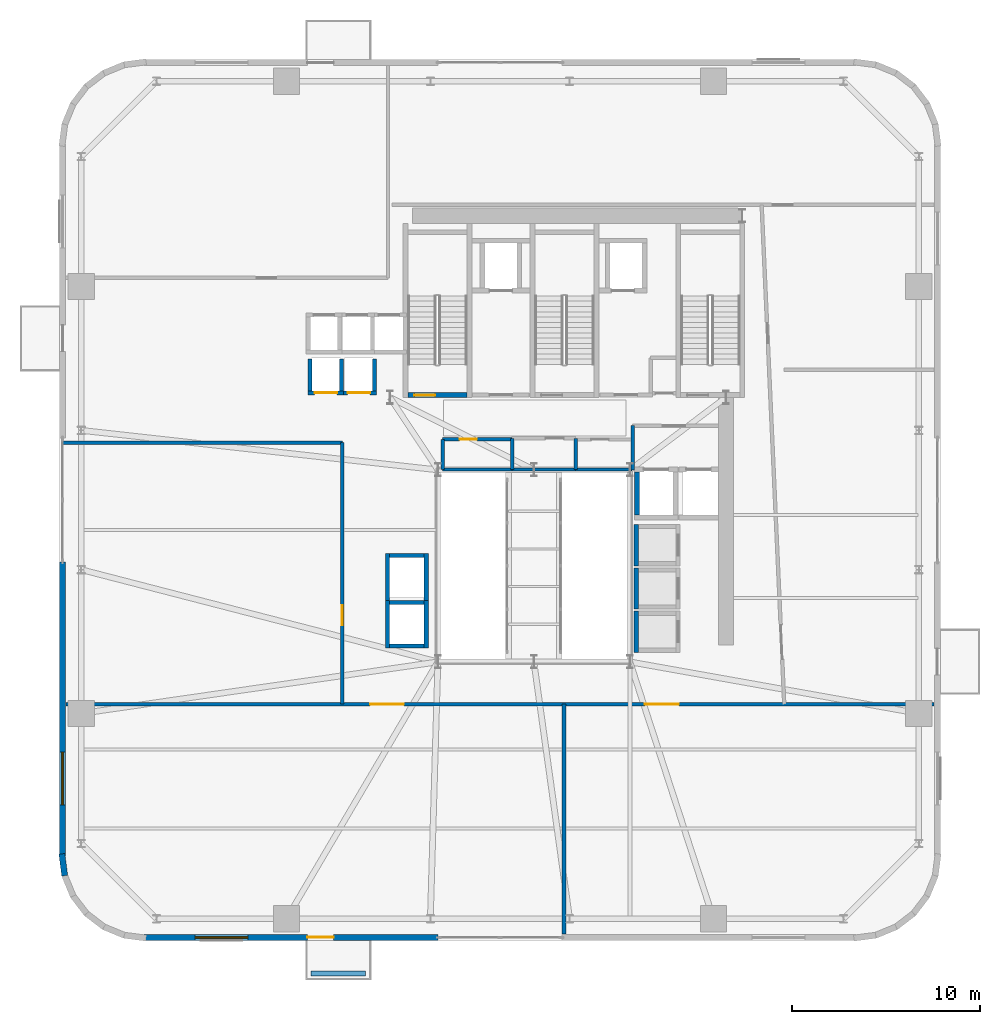
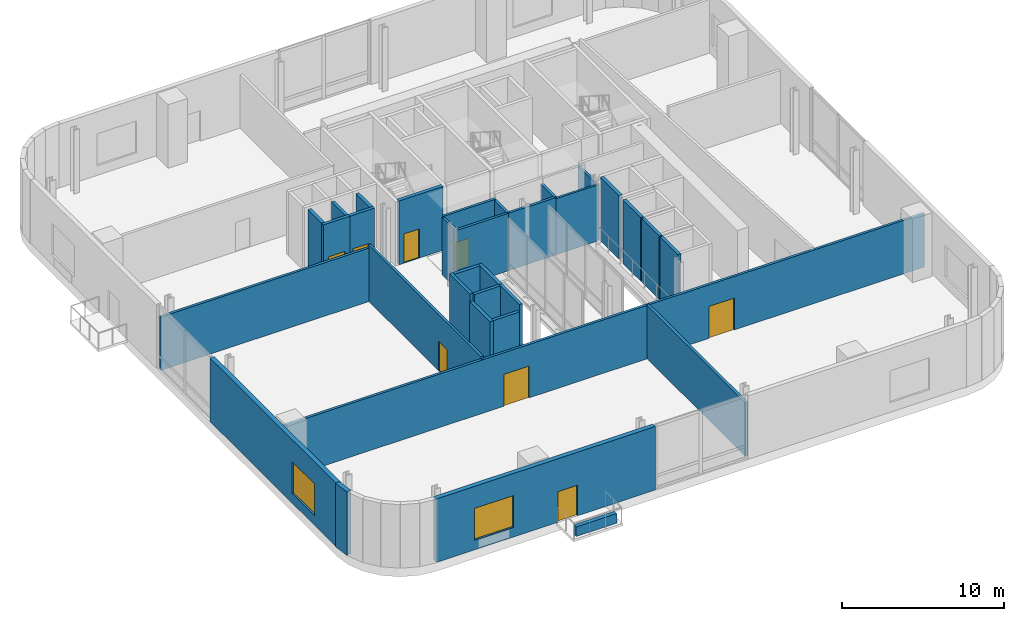
# One storey, part 8 of 14: 33 walls, 8 doors, 2 windows, 10 openings.
"""IFC4 building model written with IfcOpenShell, lengths in metres."""

from ifc_helpers import new_model, si_unit, direction, frame, frame_2d, origin, place, context, subcontext, project, spatial, rectangle, extrude, source, transform, mapped, material, layer, layer_set, type_object, element, fill, save


model = new_model("IFC4")

# Units and contexts
model_context = context("Model", 3, precision=1e-05, world=origin(), true_north=direction((0.0, 1.0)))
body_context = subcontext(model_context, "Body", "Model", "MODEL_VIEW")
ifc_project = project(units=[si_unit("LENGTHUNIT", "METRE"), si_unit("AREAUNIT", "SQUARE_METRE"), si_unit("VOLUMEUNIT", "CUBIC_METRE"), si_unit("PLANEANGLEUNIT", "RADIAN"), si_unit("MASSUNIT", "GRAM", prefix="KILO")], contexts=[model_context])

# Site, building, storey
site_placement = place(None, origin())
site = spatial("IfcSite", under=ifc_project, at=site_placement, CompositionType="ELEMENT")
building_placement = place(site_placement, origin())
building = spatial("IfcBuilding", under=site, at=building_placement, Name="Vardaveli Station Tower", CompositionType="ELEMENT")
storey_placement = place(building_placement, frame((0.0, 0.0, 172.199951171875)))
storey = spatial("IfcBuildingStorey", under=building, at=storey_placement, Name="L44", CompositionType="ELEMENT", Elevation=172.199951171875)

# Wall
ifc_material_1 = material(Name="Precast concrete C45/55", Category="concrete")
ifc_layer_1 = layer(ifc_material_1, 0.280029296875, Name="Precast concrete C45/55")
ifc_layer_set_1 = layer_set([ifc_layer_1], Name="Precast concrete C45/55")
wall_type_1 = type_object("IfcWallType", Name="WAL-PARAPET-280", PredefinedType="SOLIDWALL", material=ifc_layer_set_1)
shared_shape_1 = source(origin(), body_context, "Body", "SweptSolid", [
    extrude(rectangle(XDim=2.89990234375, YDim=0.280029296875, at=frame_2d((1.449951171875, 0.0))), origin(), (0.0, 0.0, 1.0), 0.719970703125),
])
wall_1_placement = place(storey_placement, frame((24.46044921875, 0.050048828125, 0.0), z_axis=(0.0, 0.0, 1.0), x_axis=(1.0, 0.0, 0.0)))
element("IfcWall", 1, at=wall_1_placement, inside=storey, type_object=wall_type_1, Name="Terrace Travertine Planter L44", PredefinedType="SOLIDWALL", context=body_context, shape_type="MappedRepresentation", body=[
    mapped(shared_shape_1, transform((0.0, 0.0, 0.0), scale=1.0)),
])

# Wall, openings, door, window
ifc_layer_2 = layer(ifc_material_1, 0.320068359375, Name="Precast concrete C45/55")
ifc_layer_set_2 = layer_set([ifc_layer_2], Name="Precast concrete C45/55")
wall_type_2 = type_object("IfcWallType", Name="WAL-EXT-STONE-320", PredefinedType="SOLIDWALL", material=ifc_layer_set_2)
shared_shape_2 = source(origin(), body_context, "Body", "SweptSolid", [
    extrude(rectangle(XDim=15.599853515625, YDim=0.320068359375, at=frame_2d((7.7998046875, 0.0))), origin(), (0.0, 0.0, 1.0), 4.780029296875),
])
wall_2_placement = place(storey_placement, frame((15.60009765625, 1.9599609375, 0.0), z_axis=(0.0, 0.0, 1.0), x_axis=(1.0, 0.0, 0.0)))
wall_2 = element("IfcWall", 2, at=wall_2_placement, inside=storey, type_object=wall_type_2, Name="EW-L44-S1", PredefinedType="SOLIDWALL", context=body_context, shape_type="MappedRepresentation", body=[
    mapped(shared_shape_2, transform((0.0, 0.0, 0.0), scale=1.0)),
])
shared_shape_3 = source(origin(), body_context, "Body", "SweptSolid", [
    extrude(rectangle(XDim=1.39990234375, YDim=2.300048828125, at=frame_2d((0.699951171875, 1.14990234375))), frame((0.0, 0.169921875, 0.0), z_axis=(0.0, -1.0, 0.0), x_axis=(1.0, 0.0, 0.0)), (0.0, 0.0, 1.0), 0.340087890625),
])
opening_1_placement = place(wall_2_placement, frame((8.660400390625, 0.0, 0.0)))
opening_1 = element("IfcOpeningElement", 3, at=opening_1_placement, cuts=wall_2, Name="Opening D-09", PredefinedType="OPENING", context=body_context, shape_type="MappedRepresentation", body=[
    mapped(shared_shape_3, transform((0.0, 0.0, 0.0), scale=1.0)),
])
shared_shape_4 = source(origin(), body_context, "Body", "SweptSolid", [
    extrude(rectangle(XDim=2.800048828125, YDim=2.39990234375, at=frame_2d((1.39990234375, 1.199951171875))), frame((0.0, 0.169921875, 0.0), z_axis=(0.0, -1.0, 0.0), x_axis=(1.0, 0.0, 0.0)), (0.0, 0.0, 1.0), 0.340087890625),
])
opening_2_placement = place(wall_2_placement, frame((2.705078125, 0.0, 0.719970703125)))
opening_2 = element("IfcOpeningElement", 4, at=opening_2_placement, cuts=wall_2, Name="Opening W-04", PredefinedType="OPENING", context=body_context, shape_type="MappedRepresentation", body=[
    mapped(shared_shape_4, transform((0.0, 0.0, 0.0), scale=1.0)),
])
ifc_material_2 = material(Name="Thermally broken aluminium glass", Category="aluminium")
door_type_1 = type_object("IfcDoorType", Name="DR-LOG-1400x2300", OperationType="DOUBLE_DOOR_SLIDING", PredefinedType="DOOR", material=ifc_material_2)
shared_shape_5 = source(origin(), body_context, "Body", "SweptSolid", [
    extrude(rectangle(XDim=1.39990234375, YDim=2.300048828125, at=frame_2d((0.699951171875, 1.14990234375))), frame((0.0, 0.02490234375, 0.0), z_axis=(0.0, -1.0, 0.0), x_axis=(1.0, 0.0, 0.0)), (0.0, 0.0, 1.0), 0.050048828125),
])
door_1_placement = place(opening_1_placement, frame((1.39990234375, 0.0, 0.0), z_axis=(0.0, 0.0, 1.0), x_axis=(-1.0, 0.0, 0.0)))
door_1 = element("IfcDoor", 5, at=door_1_placement, inside=storey, type_object=door_type_1, Name="DLG-L44-S", OperationType="DOUBLE_DOOR_SLIDING", OverallHeight=2.300048828125, OverallWidth=1.39990234375, PredefinedType="DOOR", context=body_context, shape_type="MappedRepresentation", body=[
    mapped(shared_shape_5, transform((0.0, 0.0, 0.0), scale=1.0)),
])
fill(opening_1, door_1)
ifc_material_3 = material(Name="Low-E solar-control glass", Category="glass")
window_type = type_object("IfcWindowType", Name="WIN-SUITE-2800x2400", PartitioningType="SINGLE_PANEL", PredefinedType="WINDOW", material=ifc_material_3)
shared_shape_6 = source(origin(), body_context, "Body", "SweptSolid", [
    extrude(rectangle(XDim=2.800048828125, YDim=2.39990234375, at=frame_2d((1.39990234375, 1.199951171875))), frame((0.0, 0.030029296875, 0.0), z_axis=(0.0, -1.0, 0.0), x_axis=(1.0, 0.0, 0.0)), (0.0, 0.0, 1.0), 0.06005859375),
])
window_1_placement = place(opening_2_placement, origin())
window_1 = element("IfcWindow", 6, at=window_1_placement, inside=storey, type_object=window_type, Name="WN-L44-S1", OverallHeight=2.39990234375, OverallWidth=2.800048828125, PartitioningType="SINGLE_PANEL", PredefinedType="WINDOW", context=body_context, shape_type="MappedRepresentation", body=[
    mapped(shared_shape_6, transform((0.0, 0.0, 0.0), scale=1.0)),
])
fill(opening_2, window_1)

# Wall, opening, window
wall_3_placement = place(storey_placement, frame((11.260009765625, 21.89990234375, 0.0), z_axis=(0.0, 0.0, 1.0), x_axis=(0.0, -1.0, 0.0)))
wall_3 = element("IfcWall", 7, at=wall_3_placement, inside=storey, type_object=wall_type_2, Name="EW-L44-W2", PredefinedType="SOLIDWALL", context=body_context, shape_type="MappedRepresentation", body=[
    mapped(shared_shape_2, transform((0.0, 0.0, 0.0), scale=1.0)),
])
opening_3_placement = place(wall_3_placement, frame((10.094970703125, 0.0, 0.719970703125)))
opening_3 = element("IfcOpeningElement", 8, at=opening_3_placement, cuts=wall_3, Name="Opening W-04", PredefinedType="OPENING", context=body_context, shape_type="MappedRepresentation", body=[
    mapped(shared_shape_4, transform((0.0, 0.0, 0.0), scale=1.0)),
])
window_2_placement = place(opening_3_placement, origin())
window_2 = element("IfcWindow", 9, at=window_2_placement, inside=storey, type_object=window_type, Name="WN-L44-W2", OverallHeight=2.39990234375, OverallWidth=2.800048828125, PartitioningType="SINGLE_PANEL", PredefinedType="WINDOW", context=body_context, shape_type="MappedRepresentation", body=[
    mapped(shared_shape_6, transform((0.0, 0.0, 0.0), scale=1.0)),
])
fill(opening_3, window_2)

# Wall
shared_shape_7 = source(origin(), body_context, "Body", "SweptSolid", [
    extrude(rectangle(XDim=1.170654296875, YDim=0.320068359375, at=frame_2d((0.58544921875, 0.0))), origin(), (0.0, 0.0, 1.0), 4.780029296875),
])
wall_4_placement = place(storey_placement, frame((11.224365234375, 6.400634765625, 0.0), z_axis=(0.0, 0.0, 1.0), x_axis=(0.128269133229, -0.991739395941, 0.0)))
element("IfcWall", 10, at=wall_4_placement, inside=storey, type_object=wall_type_2, Name="EW-L44-CR1-1", PredefinedType="SOLIDWALL", context=body_context, shape_type="MappedRepresentation", body=[
    mapped(shared_shape_7, transform((0.0, 0.0, 0.0), scale=1.0)),
])

# Wall, opening, door
ifc_material_4 = material(Name="Concrete C40/50", Category="concrete")
ifc_layer_3 = layer(ifc_material_4, 0.25, Name="Concrete C40/50")
ifc_layer_set_3 = layer_set([ifc_layer_3], Name="Concrete C40/50")
wall_type_3 = type_object("IfcWallType", Name="WAL-SHAFT-250", PredefinedType="SOLIDWALL", material=ifc_layer_set_3)
shared_shape_8 = source(origin(), body_context, "Body", "SweptSolid", [
    extrude(rectangle(XDim=3.14990234375, YDim=0.25, at=frame_2d((1.574951171875, 0.0))), origin(), (0.0, 0.0, 1.0), 4.800048828125),
])
wall_5_placement = place(storey_placement, frame((29.60009765625, 30.77490234375, 0.0), z_axis=(0.0, 0.0, 1.0), x_axis=(1.0, 0.0, 0.0)))
wall_5 = element("IfcWall", 11, at=wall_5_placement, inside=storey, type_object=wall_type_3, Name="W-L44-ST-1S", PredefinedType="SOLIDWALL", context=body_context, shape_type="MappedRepresentation", body=[
    mapped(shared_shape_8, transform((0.0, 0.0, 0.0), scale=1.0)),
])
shared_shape_9 = source(origin(), body_context, "Body", "SweptSolid", [
    extrude(rectangle(XDim=1.10009765625, YDim=2.199951171875, at=frame_2d((0.550048828125, 1.10009765625))), frame((0.0, 0.135009765625, 0.0), z_axis=(0.0, -1.0, 0.0), x_axis=(1.0, 0.0, 0.0)), (0.0, 0.0, 1.0), 0.27001953125),
])
opening_4_placement = place(wall_5_placement, frame((0.35009765625, 0.0, 0.0)))
opening_4 = element("IfcOpeningElement", 12, at=opening_4_placement, cuts=wall_5, Name="Opening D-04", PredefinedType="OPENING", context=body_context, shape_type="MappedRepresentation", body=[
    mapped(shared_shape_9, transform((0.0, 0.0, 0.0), scale=1.0)),
])
ifc_material_5 = material(Name="Steel smokeproof fire doorset", Category="steel")
door_type_2 = type_object("IfcDoorType", Name="DR-ST-1100x2200", OperationType="NOTDEFINED", PredefinedType="DOOR", material=ifc_material_5)
shared_shape_10 = source(origin(), body_context, "Body", "SweptSolid", [
    extrude(rectangle(XDim=1.10009765625, YDim=2.199951171875, at=frame_2d((0.550048828125, 1.10009765625))), frame((0.0, 0.02490234375, 0.0), z_axis=(0.0, -1.0, 0.0), x_axis=(1.0, 0.0, 0.0)), (0.0, 0.0, 1.0), 0.050048828125),
])
door_2_placement = place(opening_4_placement, origin())
door_2 = element("IfcDoor", 13, at=door_2_placement, inside=storey, type_object=door_type_2, Name="DST-1-L44", OperationType="SINGLE_SWING_LEFT", OverallHeight=2.199951171875, OverallWidth=1.10009765625, PredefinedType="DOOR", context=body_context, shape_type="MappedRepresentation", body=[
    mapped(shared_shape_10, transform((0.0, 0.0, 0.0), scale=1.0)),
])
fill(opening_4, door_2)

ifc_layer_4 = layer(ifc_material_4, 0.219970703125, Name="Concrete C40/50")
ifc_layer_set_4 = layer_set([ifc_layer_4], Name="Concrete C40/50")
wall_type_4 = type_object("IfcWallType", Name="WAL-FFLOBBY-220", PredefinedType="SOLIDWALL", material=ifc_layer_set_4)
shared_shape_11 = source(origin(), body_context, "Body", "SweptSolid", [
    extrude(rectangle(XDim=1.89013671875, YDim=0.219970703125, at=frame_2d((0.945068359375, 0.0))), origin(), (0.0, 0.0, 1.0), 4.780029296875),
])
wall_6_placement = place(storey_placement, frame((24.304931640625, 30.889892578125, 0.0), z_axis=(0.0, 0.0, 1.0), x_axis=(1.0, 0.0, 0.0)))
wall_6 = element("IfcWall", 14, at=wall_6_placement, inside=storey, type_object=wall_type_4, Name="SHW-SHU-01-L44-S", PredefinedType="SOLIDWALL", context=body_context, shape_type="MappedRepresentation", body=[
    mapped(shared_shape_11, transform((0.0, 0.0, 0.0), scale=1.0)),
])
shared_shape_12 = source(origin(), body_context, "Body", "SweptSolid", [
    extrude(rectangle(XDim=1.199951171875, YDim=2.25, at=frame_2d((0.60009765625, 1.125))), frame((0.0, 0.1201171875, 0.0), z_axis=(0.0, -1.0, 0.0), x_axis=(1.0, 0.0, 0.0)), (0.0, 0.0, 1.0), 0.239990234375),
])
opening_5_placement = place(wall_6_placement, frame((0.344970703125, 0.0, 0.0)))
opening_5 = element("IfcOpeningElement", 15, at=opening_5_placement, cuts=wall_6, Name="Opening LD-02", PredefinedType="OPENING", context=body_context, shape_type="MappedRepresentation", body=[
    mapped(shared_shape_12, transform((0.0, 0.0, 0.0), scale=1.0)),
])
ifc_material_6 = material(Name="Brushed stainless steel", Category="steel")
door_type_3 = type_object("IfcDoorType", Name="DR-LD-1200x2250", OperationType="DOUBLE_DOOR_SLIDING", PredefinedType="DOOR", material=ifc_material_6)
shared_shape_13 = source(origin(), body_context, "Body", "SweptSolid", [
    extrude(rectangle(XDim=1.199951171875, YDim=2.25, at=frame_2d((0.60009765625, 1.125))), frame((0.0, 0.02490234375, 0.0), z_axis=(0.0, -1.0, 0.0), x_axis=(1.0, 0.0, 0.0)), (0.0, 0.0, 1.0), 0.050048828125),
])
door_3_placement = place(opening_5_placement, origin())
door_3 = element("IfcDoor", 16, at=door_3_placement, inside=storey, type_object=door_type_3, Name="LD-SHU-01-L44", OperationType="DOUBLE_DOOR_SLIDING", OverallHeight=2.25, OverallWidth=1.199951171875, PredefinedType="DOOR", context=body_context, shape_type="MappedRepresentation", body=[
    mapped(shared_shape_13, transform((0.0, 0.0, 0.0), scale=1.0)),
])
fill(opening_5, door_3)

wall_7_placement = place(storey_placement, frame((26.054931640625, 30.889892578125, 0.0), z_axis=(0.0, 0.0, 1.0), x_axis=(1.0, 0.0, 0.0)))
wall_7 = element("IfcWall", 17, at=wall_7_placement, inside=storey, type_object=wall_type_4, Name="SHW-SHU-02-L44-S", PredefinedType="SOLIDWALL", context=body_context, shape_type="MappedRepresentation", body=[
    mapped(shared_shape_11, transform((0.0, 0.0, 0.0), scale=1.0)),
])
opening_6_placement = place(wall_7_placement, frame((0.344970703125, 0.0, 0.0)))
opening_6 = element("IfcOpeningElement", 18, at=opening_6_placement, cuts=wall_7, Name="Opening LD-02", PredefinedType="OPENING", context=body_context, shape_type="MappedRepresentation", body=[
    mapped(shared_shape_12, transform((0.0, 0.0, 0.0), scale=1.0)),
])
door_4_placement = place(opening_6_placement, origin())
door_4 = element("IfcDoor", 19, at=door_4_placement, inside=storey, type_object=door_type_3, Name="LD-SHU-02-L44", OperationType="DOUBLE_DOOR_SLIDING", OverallHeight=2.25, OverallWidth=1.199951171875, PredefinedType="DOOR", context=body_context, shape_type="MappedRepresentation", body=[
    mapped(shared_shape_13, transform((0.0, 0.0, 0.0), scale=1.0)),
])
fill(opening_6, door_4)

# Walls
shared_shape_14 = source(origin(), body_context, "Body", "SweptSolid", [
    extrude(rectangle(XDim=1.699951171875, YDim=0.219970703125, at=frame_2d((0.85009765625, 0.0))), origin(), (0.0, 0.0, 1.0), 4.780029296875),
])
for number, where, z_axis, x_axis, name in (
    (20, (24.4150390625, 31.0, 0.0), (0.0, 0.0, 1.0), (0.0, 1.0, 0.0), "SHW-SHU-01-L44-W"),
    (21, (26.0849609375, 31.0, 0.0), (0.0, 0.0, 1.0), (0.0, 1.0, 0.0), "SHW-SHU-01-L44-E"),
    (22, (27.8349609375, 31.0, 0.0), (0.0, 0.0, 1.0), (0.0, 1.0, 0.0), "SHW-SHU-02-L44-E"),
):
    element("IfcWall", number, at=place(storey_placement, frame(where, z_axis=z_axis, x_axis=x_axis)), inside=storey, type_object=wall_type_4, Name=name, PredefinedType="SOLIDWALL", context=body_context, shape_type="MappedRepresentation", body=[
        mapped(shared_shape_14, transform((0.0, 0.0, 0.0), scale=1.0)),
    ])
shared_shape_15 = source(origin(), body_context, "Body", "SweptSolid", [
    extrude(rectangle(XDim=2.18994140625, YDim=0.219970703125, at=frame_2d((1.094970703125, 0.0))), origin(), (0.0, 0.0, 1.0), 4.780029296875),
])
for number, where, z_axis, x_axis, name in (
    (23, (41.739990234375, 21.705078125, 0.0), (0.0, 0.0, 1.0), (0.0, 1.0, 0.0), "SHW-HL3-01-L44-W"),
    (24, (41.739990234375, 19.405029296875, 0.0), (0.0, 0.0, 1.0), (0.0, 1.0, 0.0), "SHW-HL3-02-L44-W"),
    (25, (41.739990234375, 17.10498046875, 0.0), (0.0, 0.0, 1.0), (0.0, 1.0, 0.0), "SHW-HL3-03-L44-W"),
):
    element("IfcWall", number, at=place(storey_placement, frame(where, z_axis=z_axis, x_axis=x_axis)), inside=storey, type_object=wall_type_4, Name=name, PredefinedType="SOLIDWALL", context=body_context, shape_type="MappedRepresentation", body=[
        mapped(shared_shape_15, transform((0.0, 0.0, 0.0), scale=1.0)),
    ])
shared_shape_16 = source(origin(), body_context, "Body", "SweptSolid", [
    extrude(rectangle(XDim=1.85009765625, YDim=0.219970703125, at=frame_2d((0.925048828125, 0.0))), origin(), (0.0, 0.0, 1.0), 4.22216796875),
])
wall_8_placement = place(storey_placement, frame((28.625, 17.43994140625, 0.0), z_axis=(0.0, 0.0, 1.0), x_axis=(1.0, 0.0, 0.0)))
element("IfcWall", 26, at=wall_8_placement, inside=storey, type_object=wall_type_4, Name="SHW-OBS-01-L44-S", PredefinedType="SOLIDWALL", context=body_context, shape_type="MappedRepresentation", body=[
    mapped(shared_shape_16, transform((0.0, 0.0, 0.0), scale=1.0)),
])
shared_shape_17 = source(origin(), body_context, "Body", "SweptSolid", [
    extrude(rectangle(XDim=1.85009765625, YDim=0.219970703125, at=frame_2d((0.925048828125, 0.0))), origin(), (0.0, 0.0, 1.0), 4.780029296875),
])
for number, where, z_axis, x_axis, name in (
    (27, (28.625, 19.760009765625, 0.0), (0.0, 0.0, 1.0), (1.0, 0.0, 0.0), "SHW-OBS-01-L44-N"),
    (28, (28.625, 22.260009765625, 0.0), (0.0, 0.0, 1.0), (1.0, 0.0, 0.0), "SHW-OBS-02-L44-N"),
):
    element("IfcWall", number, at=place(storey_placement, frame(where, z_axis=z_axis, x_axis=x_axis)), inside=storey, type_object=wall_type_4, Name=name, PredefinedType="SOLIDWALL", context=body_context, shape_type="MappedRepresentation", body=[
        mapped(shared_shape_17, transform((0.0, 0.0, 0.0), scale=1.0)),
    ])
shared_shape_18 = source(origin(), body_context, "Body", "SweptSolid", [
    extrude(rectangle(XDim=2.5400390625, YDim=0.219970703125, at=frame_2d((1.27001953125, 0.0))), origin(), (0.0, 0.0, 1.0), 4.22216796875),
])
wall_9_placement = place(storey_placement, frame((28.514892578125, 17.330078125, 0.0), z_axis=(0.0, 0.0, 1.0), x_axis=(0.0, 1.0, 0.0)))
element("IfcWall", 29, at=wall_9_placement, inside=storey, type_object=wall_type_4, Name="SHW-OBS-01-L44-W", PredefinedType="SOLIDWALL", context=body_context, shape_type="MappedRepresentation", body=[
    mapped(shared_shape_18, transform((0.0, 0.0, 0.0), scale=1.0)),
])
shared_shape_19 = source(origin(), body_context, "Body", "SweptSolid", [
    extrude(rectangle(XDim=2.5400390625, YDim=0.219970703125, at=frame_2d((1.27001953125, 0.0))), origin(), (0.0, 0.0, 1.0), 4.780029296875),
])
for number, where, z_axis, x_axis, name in (
    (30, (30.5849609375, 17.330078125, 0.0), (0.0, 0.0, 1.0), (0.0, 1.0, 0.0), "SHW-OBS-01-L44-E"),
    (31, (28.514892578125, 19.830078125, 0.0), (0.0, 0.0, 1.0), (0.0, 1.0, 0.0), "SHW-OBS-02-L44-W"),
    (32, (30.5849609375, 19.830078125, 0.0), (0.0, 0.0, 1.0), (0.0, 1.0, 0.0), "SHW-OBS-02-L44-E"),
):
    element("IfcWall", number, at=place(storey_placement, frame(where, z_axis=z_axis, x_axis=x_axis)), inside=storey, type_object=wall_type_4, Name=name, PredefinedType="SOLIDWALL", context=body_context, shape_type="MappedRepresentation", body=[
        mapped(shared_shape_19, transform((0.0, 0.0, 0.0), scale=1.0)),
    ])
shared_shape_20 = source(origin(), body_context, "Body", "SweptSolid", [
    extrude(rectangle(XDim=2.300048828125, YDim=0.25, at=frame_2d((1.14990234375, 0.0))), origin(), (0.0, 0.0, 1.0), 4.780029296875),
])
wall_10_placement = place(storey_placement, frame((41.77490234375, 24.39990234375, 0.0), z_axis=(0.0, 0.0, 1.0), x_axis=(0.0, 1.0, 0.0)))
element("IfcWall", 33, at=wall_10_placement, inside=storey, type_object=wall_type_3, Name="SHW-SRV-01-L44-W", PredefinedType="SOLIDWALL", context=body_context, shape_type="MappedRepresentation", body=[
    mapped(shared_shape_20, transform((0.0, 0.0, 0.0), scale=1.0)),
])

# Wall, openings, doors
ifc_material_7 = material(Name="Fire-rated gypsum stud partition")
ifc_layer_5 = layer(ifc_material_7, 0.179931640625, Name="Fire-rated gypsum stud partition")
ifc_layer_set_5 = layer_set([ifc_layer_5], Name="Fire-rated gypsum stud partition")
wall_type_5 = type_object("IfcWallType", Name="WAL-CORR-180", PredefinedType="PARTITIONING", material=ifc_layer_set_5)
shared_shape_21 = source(origin(), body_context, "Body", "SweptSolid", [
    extrude(rectangle(XDim=46.10009765625, YDim=0.179931640625, at=frame_2d((23.050048828125, 0.0))), origin(), (0.0, 0.0, 1.0), 4.02197265625),
])
wall_11_placement = place(storey_placement, frame((11.449951171875, 14.35009765625, 0.0), z_axis=(0.0, 0.0, 1.0), x_axis=(1.0, 0.0, 0.0)))
wall_11 = element("IfcWall", 34, at=wall_11_placement, inside=storey, type_object=wall_type_5, Name="W-L44-CS", PredefinedType="PARTITIONING", context=body_context, shape_type="MappedRepresentation", body=[
    mapped(shared_shape_21, transform((0.0, 0.0, 0.0), scale=1.0)),
])
shared_shape_22 = source(origin(), body_context, "Body", "SweptSolid", [
    extrude(rectangle(XDim=1.800048828125, YDim=2.39990234375, at=frame_2d((0.89990234375, 1.199951171875))), frame((0.0, 0.10009765625, 0.0), z_axis=(0.0, -1.0, 0.0), x_axis=(1.0, 0.0, 0.0)), (0.0, 0.0, 1.0), 0.199951171875),
])
opening_7_placement = place(wall_11_placement, frame((16.14990234375, 0.0, 0.0)))
opening_7 = element("IfcOpeningElement", 35, at=opening_7_placement, cuts=wall_11, Name="Opening D-01", PredefinedType="OPENING", context=body_context, shape_type="MappedRepresentation", body=[
    mapped(shared_shape_22, transform((0.0, 0.0, 0.0), scale=1.0)),
])
opening_8_placement = place(wall_11_placement, frame((30.75, 0.0, 0.0)))
opening_8 = element("IfcOpeningElement", 36, at=opening_8_placement, cuts=wall_11, Name="Opening D-01", PredefinedType="OPENING", context=body_context, shape_type="MappedRepresentation", body=[
    mapped(shared_shape_22, transform((0.0, 0.0, 0.0), scale=1.0)),
])
ifc_material_8 = material(Name="Acoustic hardwood fire doorset", Category="wood")
door_type_4 = type_object("IfcDoorType", Name="DR-BALL-1800x2400", OperationType="DOUBLE_DOOR_SINGLE_SWING", PredefinedType="DOOR", material=ifc_material_8)
shared_shape_23 = source(origin(), body_context, "Body", "SweptSolid", [
    extrude(rectangle(XDim=1.800048828125, YDim=2.39990234375, at=frame_2d((0.89990234375, 1.199951171875))), frame((0.0, 0.02490234375, 0.0), z_axis=(0.0, -1.0, 0.0), x_axis=(1.0, 0.0, 0.0)), (0.0, 0.0, 1.0), 0.050048828125),
])
door_5_placement = place(opening_7_placement, origin())
door_5 = element("IfcDoor", 37, at=door_5_placement, inside=storey, type_object=door_type_4, Name="D-L44-SKG", OperationType="DOUBLE_DOOR_SINGLE_SWING", OverallHeight=2.39990234375, OverallWidth=1.800048828125, PredefinedType="DOOR", context=body_context, shape_type="MappedRepresentation", body=[
    mapped(shared_shape_23, transform((0.0, 0.0, 0.0), scale=1.0)),
])
fill(opening_7, door_5)
door_6_placement = place(opening_8_placement, origin())
door_6 = element("IfcDoor", 38, at=door_6_placement, inside=storey, type_object=door_type_4, Name="D-L44-BAR", OperationType="DOUBLE_DOOR_SINGLE_SWING", OverallHeight=2.39990234375, OverallWidth=1.800048828125, PredefinedType="DOOR", context=body_context, shape_type="MappedRepresentation", body=[
    mapped(shared_shape_23, transform((0.0, 0.0, 0.0), scale=1.0)),
])
fill(opening_8, door_6)

# Wall, opening, door
shared_shape_24 = source(origin(), body_context, "Body", "SweptSolid", [
    extrude(rectangle(XDim=13.89990234375, YDim=0.179931640625, at=frame_2d((6.949951171875, 0.0))), origin(), (0.0, 0.0, 1.0), 4.22216796875),
])
wall_12_placement = place(storey_placement, frame((26.1201171875, 14.35009765625, 0.0), z_axis=(0.0, 0.0, 1.0), x_axis=(0.0, 1.0, 0.0)))
wall_12 = element("IfcWall", 39, at=wall_12_placement, inside=storey, type_object=wall_type_5, Name="W-L44-MTGW", PredefinedType="PARTITIONING", context=body_context, shape_type="MappedRepresentation", body=[
    mapped(shared_shape_24, transform((0.0, 0.0, 0.0), scale=1.0)),
])
shared_shape_25 = source(origin(), body_context, "Body", "SweptSolid", [
    extrude(rectangle(XDim=1.050048828125, YDim=2.199951171875, at=frame_2d((0.52490234375, 1.10009765625))), frame((0.0, 0.10009765625, 0.0), z_axis=(0.0, -1.0, 0.0), x_axis=(1.0, 0.0, 0.0)), (0.0, 0.0, 1.0), 0.199951171875),
])
opening_9_placement = place(wall_12_placement, frame((4.199951171875, 0.0, 0.0)))
opening_9 = element("IfcOpeningElement", 40, at=opening_9_placement, cuts=wall_12, Name="Opening D-05", PredefinedType="OPENING", context=body_context, shape_type="MappedRepresentation", body=[
    mapped(shared_shape_25, transform((0.0, 0.0, 0.0), scale=1.0)),
])
ifc_material_9 = material(Name="Walnut veneer acoustic fire door")
door_type_5 = type_object("IfcDoorType", Name="DR-SUITE-1050x2200", OperationType="NOTDEFINED", PredefinedType="DOOR", material=ifc_material_9)
shared_shape_26 = source(origin(), body_context, "Body", "SweptSolid", [
    extrude(rectangle(XDim=1.050048828125, YDim=2.199951171875, at=frame_2d((0.52490234375, 1.10009765625))), frame((0.0, 0.02490234375, 0.0), z_axis=(0.0, -1.0, 0.0), x_axis=(1.0, 0.0, 0.0)), (0.0, 0.0, 1.0), 0.050048828125),
])
door_7_placement = place(opening_9_placement, origin())
door_7 = element("IfcDoor", 41, at=door_7_placement, inside=storey, type_object=door_type_5, Name="D-L44-MTG", OperationType="SINGLE_SWING_LEFT", OverallHeight=2.199951171875, OverallWidth=1.050048828125, PredefinedType="DOOR", context=body_context, shape_type="MappedRepresentation", body=[
    mapped(shared_shape_26, transform((0.0, 0.0, 0.0), scale=1.0)),
])
fill(opening_9, door_7)

shared_shape_27 = source(origin(), body_context, "Body", "SweptSolid", [
    extrude(rectangle(XDim=3.699951171875, YDim=0.179931640625, at=frame_2d((1.85009765625, 0.0))), origin(), (0.0, 0.0, 1.0), 4.412109375),
])
wall_13_placement = place(storey_placement, frame((31.449951171875, 28.419921875, 0.0), z_axis=(0.0, 0.0, 1.0), x_axis=(1.0, 0.0, 0.0)))
wall_13 = element("IfcWall", 42, at=wall_13_placement, inside=storey, type_object=wall_type_5, Name="W-L44-CS2A-N", PredefinedType="PARTITIONING", context=body_context, shape_type="MappedRepresentation", body=[
    mapped(shared_shape_27, transform((0.0, 0.0, 0.0), scale=1.0)),
])
shared_shape_28 = source(origin(), body_context, "Body", "SweptSolid", [
    extrude(rectangle(XDim=0.919921875, YDim=2.10009765625, at=frame_2d((0.4599609375, 1.050048828125))), frame((0.0, 0.10009765625, 0.0), z_axis=(0.0, -1.0, 0.0), x_axis=(1.0, 0.0, 0.0)), (0.0, 0.0, 1.0), 0.199951171875),
])
opening_10_placement = place(wall_13_placement, frame((0.89990234375, 0.0, 0.0)))
opening_10 = element("IfcOpeningElement", 43, at=opening_10_placement, cuts=wall_13, Name="Opening D-07", PredefinedType="OPENING", context=body_context, shape_type="MappedRepresentation", body=[
    mapped(shared_shape_28, transform((0.0, 0.0, 0.0), scale=1.0)),
])
ifc_material_10 = material(Name="Moisture-resistant hardwood door", Category="wood")
door_type_6 = type_object("IfcDoorType", Name="DR-WC-920x2100", OperationType="NOTDEFINED", PredefinedType="DOOR", material=ifc_material_10)
shared_shape_29 = source(origin(), body_context, "Body", "SweptSolid", [
    extrude(rectangle(XDim=0.919921875, YDim=2.10009765625, at=frame_2d((0.4599609375, 1.050048828125))), frame((0.0, 0.02490234375, 0.0), z_axis=(0.0, -1.0, 0.0), x_axis=(1.0, 0.0, 0.0)), (0.0, 0.0, 1.0), 0.050048828125),
])
door_8_placement = place(opening_10_placement, origin())
door_8 = element("IfcDoor", 44, at=door_8_placement, inside=storey, type_object=door_type_6, Name="D-L44-CS2A", OperationType="SINGLE_SWING_LEFT", OverallHeight=2.10009765625, OverallWidth=0.919921875, PredefinedType="DOOR", context=body_context, shape_type="MappedRepresentation", body=[
    mapped(shared_shape_29, transform((0.0, 0.0, 0.0), scale=1.0)),
])
fill(opening_10, door_8)

# Walls
shared_shape_30 = source(origin(), body_context, "Body", "SweptSolid", [
    extrude(rectangle(XDim=14.900146484375, YDim=0.179931640625, at=frame_2d((7.4501953125, 0.0))), origin(), (0.0, 0.0, 1.0), 4.02197265625),
])
wall_14_placement = place(storey_placement, frame((11.219970703125, 28.25, 0.0), z_axis=(0.0, 0.0, 1.0), x_axis=(1.0, 0.0, 0.0)))
element("IfcWall", 45, at=wall_14_placement, inside=storey, type_object=wall_type_5, Name="W-L44-MTGN", PredefinedType="PARTITIONING", context=body_context, shape_type="MappedRepresentation", body=[
    mapped(shared_shape_30, transform((0.0, 0.0, 0.0), scale=1.0)),
])
ifc_material_11 = material(Name="Acoustic twin-stud gypsum partition")
ifc_layer_6 = layer(ifc_material_11, 0.199951171875, Name="Acoustic twin-stud gypsum partition")
ifc_layer_set_6 = layer_set([ifc_layer_6], Name="Acoustic twin-stud gypsum partition")
wall_type_6 = type_object("IfcWallType", Name="WAL-PARTY-200", PredefinedType="PARTITIONING", material=ifc_layer_set_6)
shared_shape_31 = source(origin(), body_context, "Body", "SweptSolid", [
    extrude(rectangle(XDim=12.2001953125, YDim=0.199951171875, at=frame_2d((6.10009765625, 0.0))), origin(), (0.0, 0.0, 1.0), 4.02197265625),
])
wall_15_placement = place(storey_placement, frame((37.89990234375, 2.14990234375, 0.0), z_axis=(0.0, 0.0, 1.0), x_axis=(0.0, 1.0, 0.0)))
element("IfcWall", 46, at=wall_15_placement, inside=storey, type_object=wall_type_6, Name="W-L44-SB", PredefinedType="PARTITIONING", context=body_context, shape_type="MappedRepresentation", body=[
    mapped(shared_shape_31, transform((0.0, 0.0, 0.0), scale=1.0)),
])
shared_shape_32 = source(origin(), body_context, "Body", "SweptSolid", [
    extrude(rectangle(XDim=3.699951171875, YDim=0.179931640625, at=frame_2d((1.85009765625, 0.0))), origin(), (0.0, 0.0, 1.0), 4.322021484375),
])
wall_16_placement = place(storey_placement, frame((31.449951171875, 26.820068359375, 0.0), z_axis=(0.0, 0.0, 1.0), x_axis=(1.0, 0.0, 0.0)))
element("IfcWall", 47, at=wall_16_placement, inside=storey, type_object=wall_type_5, Name="W-L44-CS2A-S", PredefinedType="PARTITIONING", context=body_context, shape_type="MappedRepresentation", body=[
    mapped(shared_shape_32, transform((0.0, 0.0, 0.0), scale=1.0)),
])
shared_shape_33 = source(origin(), body_context, "Body", "SweptSolid", [
    extrude(rectangle(XDim=3.3701171875, YDim=0.179931640625, at=frame_2d((1.68505859375, 0.0))), origin(), (0.0, 0.0, 1.0), 4.322021484375),
])
wall_17_placement = place(storey_placement, frame((35.14990234375, 26.820068359375, 0.0), z_axis=(0.0, 0.0, 1.0), x_axis=(1.0, 0.0, 0.0)))
element("IfcWall", 48, at=wall_17_placement, inside=storey, type_object=wall_type_5, Name="W-L44-HKP2-S", PredefinedType="PARTITIONING", context=body_context, shape_type="MappedRepresentation", body=[
    mapped(shared_shape_33, transform((0.0, 0.0, 0.0), scale=1.0)),
])
ifc_material_12 = material(Name="Moisture-resistant stud partition")
ifc_layer_7 = layer(ifc_material_12, 0.14990234375, Name="Moisture-resistant stud partition")
ifc_layer_set_7 = layer_set([ifc_layer_7], Name="Moisture-resistant stud partition")
wall_type_7 = type_object("IfcWallType", Name="WAL-WET-150", PredefinedType="PARTITIONING", material=ifc_layer_set_7)
shared_shape_34 = source(origin(), body_context, "Body", "SweptSolid", [
    extrude(rectangle(XDim=3.0, YDim=0.14990234375, at=frame_2d((1.5, 0.0))), origin(), (0.0, 0.0, 1.0), 4.22216796875),
])
wall_18_placement = place(storey_placement, frame((38.52001953125, 26.820068359375, 0.0), z_axis=(0.0, 0.0, 1.0), x_axis=(1.0, 0.0, 0.0)))
element("IfcWall", 49, at=wall_18_placement, inside=storey, type_object=wall_type_7, Name="W-L44-WCA2-S", PredefinedType="PARTITIONING", context=body_context, shape_type="MappedRepresentation", body=[
    mapped(shared_shape_34, transform((0.0, 0.0, 0.0), scale=1.0)),
])
shared_shape_35 = source(origin(), body_context, "Body", "SweptSolid", [
    extrude(rectangle(XDim=2.349853515625, YDim=0.179931640625, at=frame_2d((1.1748046875, 0.0))), origin(), (0.0, 0.0, 1.0), 4.22216796875),
])
wall_19_placement = place(storey_placement, frame((41.550048828125, 26.800048828125, 0.0), z_axis=(0.0, 0.0, 1.0), x_axis=(0.0, 1.0, 0.0)))
element("IfcWall", 50, at=wall_19_placement, inside=storey, type_object=wall_type_5, Name="W-L44-SVFW", PredefinedType="PARTITIONING", context=body_context, shape_type="MappedRepresentation", body=[
    mapped(shared_shape_35, transform((0.0, 0.0, 0.0), scale=1.0)),
])
shared_shape_36 = source(origin(), body_context, "Body", "SweptSolid", [
    extrude(rectangle(XDim=1.659912109375, YDim=0.179931640625, at=frame_2d((0.830078125, 0.0))), origin(), (0.0, 0.0, 1.0), 4.322021484375),
])
for number, where, z_axis, x_axis, name in (
    (51, (35.14990234375, 26.820068359375, 0.0), (0.0, 0.0, 1.0), (0.0, 1.0, 0.0), "W-L44-HKP2-W"),
    (52, (38.52001953125, 26.820068359375, 0.0), (0.0, 0.0, 1.0), (0.0, 1.0, 0.0), "W-L44-HKP2-E"),
):
    element("IfcWall", number, at=place(storey_placement, frame(where, z_axis=z_axis, x_axis=x_axis)), inside=storey, type_object=wall_type_5, Name=name, PredefinedType="PARTITIONING", context=body_context, shape_type="MappedRepresentation", body=[
        mapped(shared_shape_36, transform((0.0, 0.0, 0.0), scale=1.0)),
    ])
shared_shape_37 = source(origin(), body_context, "Body", "SweptSolid", [
    extrude(rectangle(XDim=1.599853515625, YDim=0.179931640625, at=frame_2d((0.7998046875, 0.0))), origin(), (0.0, 0.0, 1.0), 4.322021484375),
])
wall_20_placement = place(storey_placement, frame((31.449951171875, 26.820068359375, 0.0), z_axis=(0.0, 0.0, 1.0), x_axis=(0.0, 1.0, 0.0)))
element("IfcWall", 53, at=wall_20_placement, inside=storey, type_object=wall_type_5, Name="W-L44-CS2A-W", PredefinedType="PARTITIONING", context=body_context, shape_type="MappedRepresentation", body=[
    mapped(shared_shape_37, transform((0.0, 0.0, 0.0), scale=1.0)),
])

save(model, "model.ifc")
